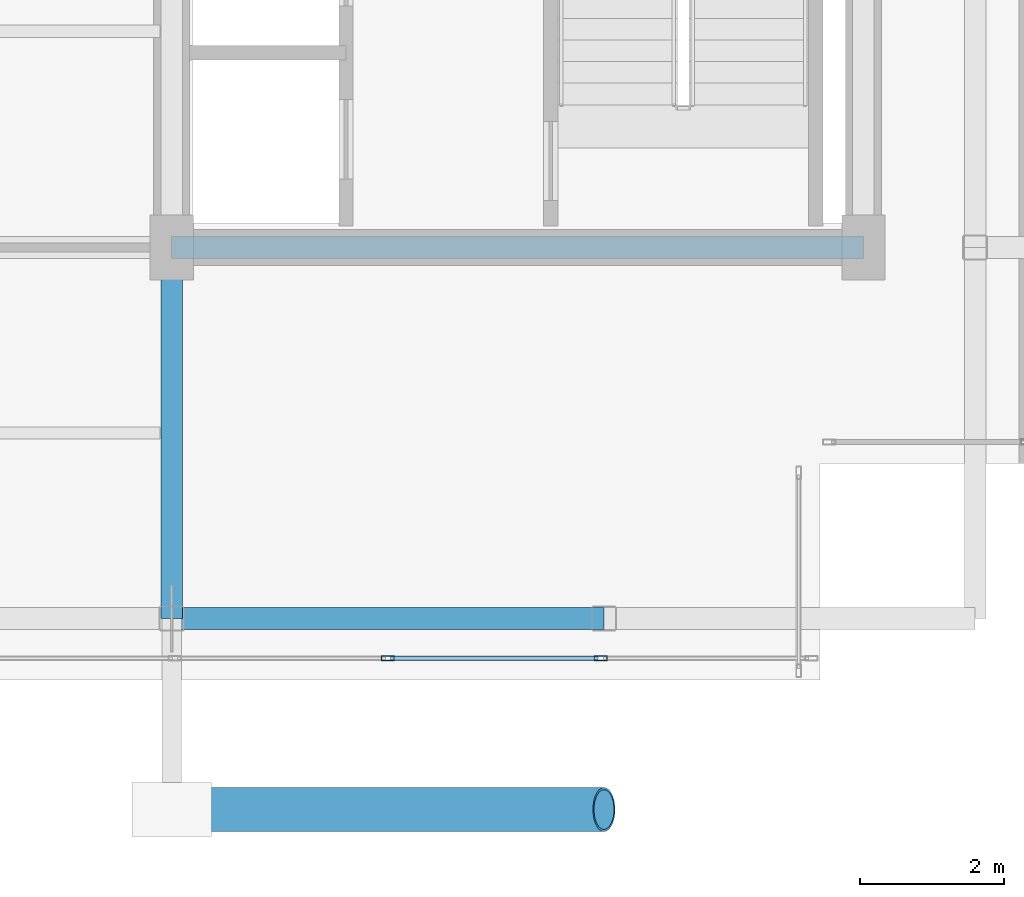
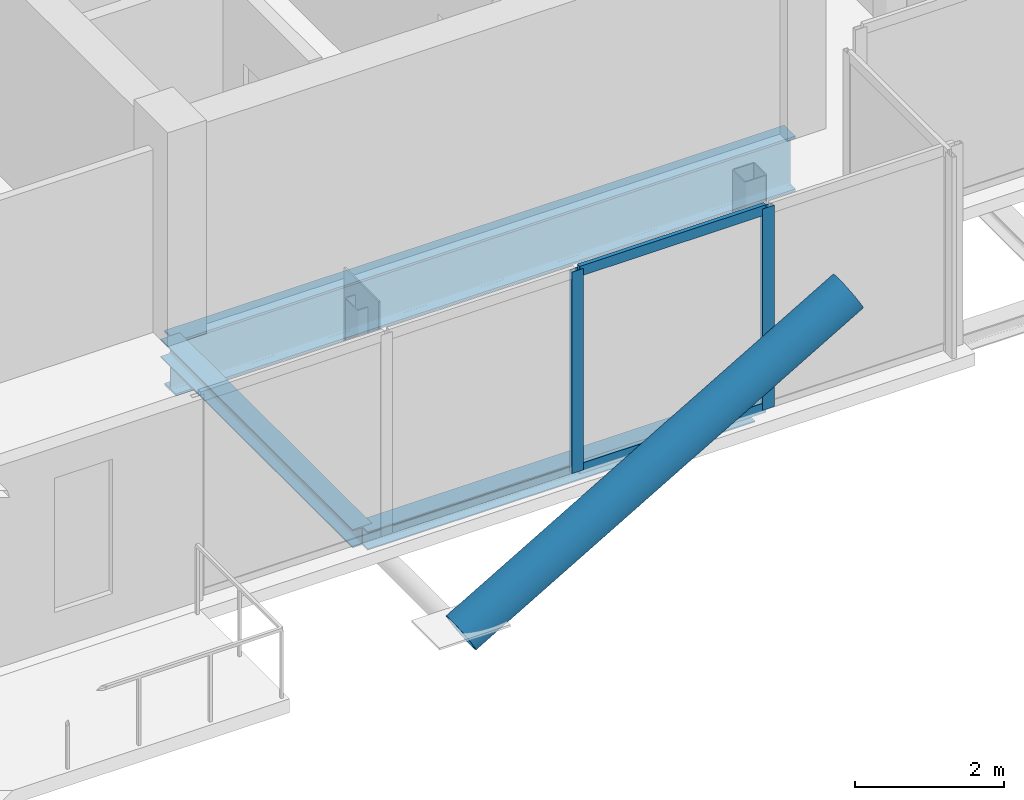
# One storey, part 5 of 19: 5 members, 3 beams, 1 element without a shape of its own.
"""IFC4 building model written with IfcOpenShell, lengths in metres."""

import ifcopenshell
import ifcopenshell.guid

model = None  # the IFC model being written
_history = None  # IfcOwnerHistory: only IFC2X3 demands one
_inside = {}  # id of a spatial element -> (the spatial element, [elements in it])
_under = {}  # id of a project, library or spatial element -> (it, [spatial elements below it])
_declared = {}  # id of a project -> (the project, [libraries it declares])
_typed = {}  # id of a type object -> (the type object, [elements of that type])
_made_of = {}  # id of a material, layer set ... -> (it, [elements and type objects made of it])


def new_model(schema):
    """Start an empty IFC model of exactly this schema.

    Asked for "IFC4X3", IfcOpenShell would pick the latest addendum, in which some entities
    have other attributes; the version numbers below select the first issue.
    IFC2X3 requires an IfcOwnerHistory on every rooted entity: one is made here for all.
    """
    global model, _history
    if schema == "IFC4X3":
        model = ifcopenshell.file(schema_version=(4, 3, 0, 0))
    else:
        model = ifcopenshell.file(schema=schema)
    _inside.clear()
    _under.clear()
    _declared.clear()
    _typed.clear()
    _made_of.clear()
    _history = None
    if model.schema == "IFC2X3":
        org = make("IfcOrganization", Name="unknown")
        user = make(
            "IfcPersonAndOrganization",
            ThePerson=make("IfcPerson", FamilyName="unknown"),
            TheOrganization=org,
        )
        app = make(
            "IfcApplication",
            ApplicationDeveloper=org,
            Version="unknown",
            ApplicationFullName="unknown",
            ApplicationIdentifier="unknown",
        )
        _history = make(
            "IfcOwnerHistory",
            OwningUser=user,
            OwningApplication=app,
            ChangeAction="ADDED",
            CreationDate=0,
        )
    return model


def make(cls, **values):
    """One entity of the class cls with the attributes given. An attribute that is None is left unset."""
    return model.create_entity(
        cls, **{name: value for name, value in values.items() if value is not None}
    )


def rooted(cls, **values):
    """An entity with a GlobalId (a new one), such as an element, a storey or a relation."""
    return make(cls, GlobalId=ifcopenshell.guid.new(), OwnerHistory=_history, **values)


def si_unit(unit_type, name, prefix=None):
    """IfcSIUnit, for example si_unit("LENGTHUNIT", "METRE", prefix="MILLI")."""
    return make("IfcSIUnit", UnitType=unit_type, Prefix=prefix, Name=name)


def assignment(units):
    """IfcUnitAssignment: the units of a project."""
    return None if units is None else make("IfcUnitAssignment", Units=units)


def point(xyz):
    """IfcCartesianPoint."""
    return None if xyz is None else make("IfcCartesianPoint", Coordinates=xyz)


def direction(xyz):
    """IfcDirection."""
    return None if xyz is None else make("IfcDirection", DirectionRatios=xyz)


def frame(location, z_axis=None, x_axis=None):
    """IfcAxis2Placement3D, a coordinate frame: its origin and axes. An axis left out is left unset."""
    return make(
        "IfcAxis2Placement3D",
        Location=point(location),
        Axis=direction(z_axis),
        RefDirection=direction(x_axis),
    )


def frame_2d(location, x_axis=None):
    """IfcAxis2Placement2D, a coordinate frame in the plane: its origin and x axis."""
    return make(
        "IfcAxis2Placement2D", Location=point(location), RefDirection=direction(x_axis)
    )


def origin():
    """The frame at (0, 0, 0) with its axes left unset."""
    return frame((0.0, 0.0, 0.0))


def origin_2d():
    """The frame at (0, 0) in the plane with its x axis left unset."""
    return frame_2d((0.0, 0.0))


def place(relative_to, where):
    """IfcLocalPlacement: puts the frame where relative to a parent placement (None: the world)."""
    return make(
        "IfcLocalPlacement", PlacementRelTo=relative_to, RelativePlacement=where
    )


def context(
    kind, dimensions, precision=None, world=None, true_north=None, identifier=None
):
    """IfcGeometricRepresentationContext, for example the 3D "Model" context."""
    return make(
        "IfcGeometricRepresentationContext",
        ContextIdentifier=identifier,
        ContextType=kind,
        CoordinateSpaceDimension=dimensions,
        Precision=precision,
        WorldCoordinateSystem=world,
        TrueNorth=true_north,
    )


def subcontext(parent, identifier, kind, view, scale=None):
    """IfcGeometricRepresentationSubContext, for example "Body" below "Model"."""
    return make(
        "IfcGeometricRepresentationSubContext",
        ContextIdentifier=identifier,
        ContextType=kind,
        ParentContext=parent,
        TargetScale=scale,
        TargetView=view,
    )


def project(units=None, contexts=None):
    """IfcProject with its units and contexts."""
    return rooted(
        "IfcProject",
        Name="project",
        RepresentationContexts=contexts,
        UnitsInContext=assignment(units),
    )


def spatial(cls, under=None, at=None, **own):
    """A site, building, storey or space (cls), placed at a placement, below another one or the project."""
    s = rooted(cls, ObjectPlacement=at, **own)
    if under is not None:
        _under.setdefault(under.id(), (under, []))[1].append(s)
    return s


def profile(cls, at=None, kind="AREA", **sizes):
    """A parametric profile (cls). Its sizes go by their IFC names, for example OverallWidth=200.0."""
    return make(cls, ProfileType=kind, Position=at, **sizes)


def hollow_rectangle(**sizes):
    """IfcRectangleHollowProfileDef."""
    return profile("IfcRectangleHollowProfileDef", **sizes)


def hollow_circle(**sizes):
    """IfcCircleHollowProfileDef."""
    return profile("IfcCircleHollowProfileDef", **sizes)


def i_section(**sizes):
    """IfcIShapeProfileDef."""
    return profile("IfcIShapeProfileDef", **sizes)


def extrude(swept, where, along, depth):
    """IfcExtrudedAreaSolid: the profile swept, set in the frame where, extruded along a direction by depth."""
    return make(
        "IfcExtrudedAreaSolid",
        SweptArea=swept,
        Position=where,
        ExtrudedDirection=direction(along),
        Depth=depth,
    )


def shape(context_of_items, identifier, shape_type, items):
    """IfcShapeRepresentation: the items that make up one representation, for example the "Body"."""
    return make(
        "IfcShapeRepresentation",
        ContextOfItems=context_of_items,
        RepresentationIdentifier=identifier,
        RepresentationType=shape_type,
        Items=items,
    )


def material(Name=None, Category=None):
    """IfcMaterial."""
    return make("IfcMaterial", Name=Name, Category=Category)


def layer(
    of_material, thickness, ventilated=None, Name=None, Category=None, Priority=None
):
    """IfcMaterialLayer: one layer of a wall or slab, of a material (None: an air gap)."""
    return make(
        "IfcMaterialLayer",
        Material=of_material,
        LayerThickness=thickness,
        IsVentilated=ventilated,
        Name=Name,
        Category=Category,
        Priority=Priority,
    )


def layer_set(layers, Name=None):
    """IfcMaterialLayerSet."""
    return make("IfcMaterialLayerSet", MaterialLayers=layers, LayerSetName=Name)


def material_profile(
    of_material, cross_section, Name=None, Category=None, Priority=None
):
    """IfcMaterialProfile: a cross section and its material."""
    return make(
        "IfcMaterialProfile",
        Name=Name,
        Material=of_material,
        Profile=cross_section,
        Priority=Priority,
        Category=Category,
    )


def profile_set(profiles, Name=None, composite=None):
    """IfcMaterialProfileSet."""
    return make(
        "IfcMaterialProfileSet",
        Name=Name,
        MaterialProfiles=profiles,
        CompositeProfile=composite,
    )


def made_of(thing, what):
    """Note that an element or type object is made of a material, layer set ...; save() writes the relation."""
    if what is not None:
        _made_of.setdefault(what.id(), (what, []))[1].append(thing)
    return thing


def type_object(cls, material=None, **own):
    """A type object (cls), such as IfcWallType, which elements share."""
    return made_of(rooted(cls, **own), material)


def element(
    cls,
    number,
    at=None,
    inside=None,
    cuts=None,
    type_object=None,
    material=None,
    context=None,
    identifier="Body",
    shape_type=None,
    held_by="IfcProductDefinitionShape",
    body=None,
    shapes=None,
    **own,
):
    """One element of the class cls, such as IfcWall. Its Tag is "e" and its number.

    at: its placement. inside: the storey or other place that contains it. cuts: it is an
    opening in that element (IfcRelVoidsElement). A single representation is given by context,
    identifier, shape_type and body (its items); several are given by shapes. held_by: the class
    of the entity that holds the representations. save() writes the other relations.
    """
    e = rooted(cls, Tag="e%d" % number, ObjectPlacement=at, **own)
    if body is not None:
        shapes = [shape(context, identifier, shape_type, body)]
    if shapes is not None:
        e.Representation = make(held_by, Representations=shapes)
    if inside is not None:
        _inside.setdefault(inside.id(), (inside, []))[1].append(e)
    if cuts is not None:
        rooted(
            "IfcRelVoidsElement", RelatingBuildingElement=cuts, RelatedOpeningElement=e
        )
    if type_object is not None:
        _typed.setdefault(type_object.id(), (type_object, []))[1].append(e)
    return made_of(e, material)


def aggregate(whole, parts):
    """IfcRelAggregates: a whole, such as a stair, and the parts it consists of."""
    return rooted("IfcRelAggregates", RelatingObject=whole, RelatedObjects=parts)


def save(model, path):
    """Write the relations noted so far, then the file.

    IfcRelAggregates (storeys below a building ...), IfcRelContainedInSpatialStructure (elements
    in a storey), IfcRelDefinesByType, IfcRelAssociatesMaterial and IfcRelDeclares: one each for
    every whole, place, type object, material and project.
    """
    for whole, parts in _under.values():
        aggregate(whole, parts)
    for where, things in _inside.values():
        rooted(
            "IfcRelContainedInSpatialStructure",
            RelatedElements=things,
            RelatingStructure=where,
        )
    for kind, things in _typed.values():
        rooted("IfcRelDefinesByType", RelatedObjects=things, RelatingType=kind)
    for what, things in _made_of.values():
        rooted("IfcRelAssociatesMaterial", RelatedObjects=things, RelatingMaterial=what)
    for by, libraries in _declared.values():
        rooted("IfcRelDeclares", RelatingContext=by, RelatedDefinitions=libraries)
    model.write(path)


model = new_model("IFC4")

# Units and contexts
model_context = context("Model", 3, precision=1e-05, world=origin(), true_north=direction((0.0, 1.0)))
body_context = subcontext(model_context, "Body", "Model", "MODEL_VIEW")
ifc_project = project(units=[si_unit("LENGTHUNIT", "METRE"), si_unit("AREAUNIT", "SQUARE_METRE"), si_unit("VOLUMEUNIT", "CUBIC_METRE"), si_unit("PLANEANGLEUNIT", "RADIAN"), si_unit("MASSUNIT", "GRAM", prefix="KILO"), si_unit("THERMODYNAMICTEMPERATUREUNIT", "KELVIN"), si_unit("POWERUNIT", "WATT")], contexts=[model_context])

# Site, building, storey
site_placement = place(None, origin())
site = spatial("IfcSite", under=ifc_project, at=site_placement, CompositionType="ELEMENT")
building_placement = place(site_placement, origin())
building = spatial("IfcBuilding", under=site, at=building_placement, Name="Svarakhadi Broadcast Tower", CompositionType="ELEMENT")
storey_placement = place(building_placement, frame((0.0, 0.0, 239.699951171875)))
storey = spatial("IfcBuildingStorey", under=building, at=storey_placement, Name="L59", CompositionType="ELEMENT", Elevation=239.699951171875)

# Curtain wall, members
ifc_material_1 = material(Name="Anodised Bronze Aluminium AA 6063-T6", Category="aluminium")
ifc_layer = layer(ifc_material_1, 0.179931640625)
ifc_layer_set = layer_set([ifc_layer], Name="Anodised Bronze Aluminium AA 6063-T6")
curtain_wall_type = type_object("IfcCurtainWallType", Name="CW_Sys_05", PredefinedType="NOTDEFINED", material=ifc_layer_set)
curtain_wall_placement = place(storey_placement, origin())
curtain_wall = element("IfcCurtainWall", 1, at=curtain_wall_placement, inside=storey, type_object=curtain_wall_type, Name="L59 South Curtain Wall 14", PredefinedType="NOTDEFINED")
ifc_material_profile_1 = material_profile(ifc_material_1, hollow_rectangle(XDim=0.070068359375, YDim=0.179931640625, WallThickness=0.005615234375, at=origin_2d()), Name="ALU MULLION 180x70x6")
ifc_profile_set_1 = profile_set([ifc_material_profile_1], Name="Anodised Bronze Aluminium AA 6063-T6")
member_type_1 = type_object("IfcMemberType", Name="CW_Sys_05_Mul", PredefinedType="MULLION", material=ifc_profile_set_1)
member_1_placement = place(storey_placement, frame((29.955078125, 0.300048828125, 0.0), z_axis=(0.0, 0.0, 1.0), x_axis=(0.0, -1.0, 0.0)))
member_1 = element("IfcMember", 2, at=member_1_placement, type_object=member_type_1, Name="CW-05 mullion 2", PredefinedType="MULLION", context=body_context, shape_type="SweptSolid", body=[
    extrude(hollow_rectangle(XDim=0.070068359375, YDim=0.179931640625, WallThickness=0.005615234375, at=origin_2d()), origin(), (0.0, 0.0, 1.0), 3.300048828125),
])
member_2_placement = place(storey_placement, frame((27.0, 0.300048828125, 0.0), z_axis=(0.0, 0.0, 1.0), x_axis=(0.0, -1.0, 0.0)))
member_2 = element("IfcMember", 3, at=member_2_placement, type_object=member_type_1, Name="CW-05 mullion 3", PredefinedType="MULLION", context=body_context, shape_type="SweptSolid", body=[
    extrude(hollow_rectangle(XDim=0.070068359375, YDim=0.179931640625, WallThickness=0.005615234375, at=origin_2d()), origin(), (0.0, 0.0, 1.0), 3.300048828125),
])
ifc_material_profile_2 = material_profile(ifc_material_1, hollow_rectangle(XDim=0.06494140625, YDim=0.1650390625, WallThickness=0.0048828125, at=origin_2d()), Name="ALU TRANSOM 165x65x5")
ifc_profile_set_2 = profile_set([ifc_material_profile_2], Name="Anodised Bronze Aluminium AA 6063-T6")
member_type_2 = type_object("IfcMemberType", Name="CW_Sys_05_Trn", PredefinedType="USERDEFINED", material=ifc_profile_set_2)
member_3_placement = place(storey_placement, frame((29.919921875, 0.300048828125, 0.032470703125), z_axis=(-1.0, 0.0, 0.0), x_axis=(0.0, -1.0, 0.0)))
member_3 = element("IfcMember", 4, at=member_3_placement, type_object=member_type_2, Name="CW-05 transom 2.1", ObjectType="TRANSOM", PredefinedType="USERDEFINED", context=body_context, shape_type="SweptSolid", body=[
    extrude(hollow_rectangle(XDim=0.06494140625, YDim=0.1650390625, WallThickness=0.0048828125, at=origin_2d()), origin(), (0.0, 0.0, 1.0), 2.885009765625),
])
member_4_placement = place(storey_placement, frame((29.919921875, 0.300048828125, 3.267578125), z_axis=(-1.0, 0.0, 0.0), x_axis=(0.0, -1.0, 0.0)))
member_4 = element("IfcMember", 5, at=member_4_placement, type_object=member_type_2, Name="CW-05 transom 2.2", ObjectType="TRANSOM", PredefinedType="USERDEFINED", context=body_context, shape_type="SweptSolid", body=[
    extrude(hollow_rectangle(XDim=0.06494140625, YDim=0.1650390625, WallThickness=0.0048828125, at=origin_2d()), origin(), (0.0, 0.0, 1.0), 2.885009765625),
])
aggregate(curtain_wall, [member_1, member_2, member_3, member_4])

# Member
ifc_material_2 = material(Name="Steel S460ML (IS 2062 E450BR)", Category="steel")
ifc_material_profile_3 = material_profile(ifc_material_2, hollow_circle(Radius=0.304931640625, WallThickness=0.030029296875, at=origin_2d()), Name="CHS 610x30")
ifc_profile_set_3 = profile_set([ifc_material_profile_3], Name="Steel S460ML (IS 2062 E450BR)")
member_type_3 = type_object("IfcMemberType", Name="Exo_Brace_CHS610", PredefinedType="BRACE", material=ifc_profile_set_3)
member_5_placement = place(storey_placement, frame((24.0, -1.800048828125, -0.33642578125), z_axis=(0.863778900898, 0.0, 0.503871025524), x_axis=(0.0, 1.0, 0.0)))
element("IfcMember", 6, at=member_5_placement, inside=storey, type_object=member_type_3, Name="L59 Exposed Bronze Exoskeleton Diagonal S01", PredefinedType="BRACE", context=body_context, shape_type="SweptSolid", body=[
    extrude(hollow_circle(Radius=0.304931640625, WallThickness=0.030029296875, at=origin_2d()), origin(), (0.0, 0.0, 1.0), 6.9462890625),
])

# Beams
ifc_material_3 = material(Name="Steel S355J2 (IS 2062 E350C)", Category="steel")
ifc_material_profile_4 = material_profile(ifc_material_3, i_section(OverallWidth=0.300048828125, OverallDepth=0.300048828125, WebThickness=0.010986328125, FlangeThickness=0.01904296875, FilletRadius=0.027099609375, at=origin_2d()), Name="WPB 300x300x117")
ifc_profile_set_4 = profile_set([ifc_material_profile_4], Name="Steel S355J2 (IS 2062 E350C)")
beam_type_1 = type_object("IfcBeamType", Name="Girder_WPB300", PredefinedType="USERDEFINED", material=ifc_profile_set_4)
beam_1_placement = place(storey_placement, frame((24.0, 0.85009765625, -0.349853515625), z_axis=(1.0, 0.0, 0.0), x_axis=(0.0, 1.0, 0.0)))
element("IfcBeam", 7, at=beam_1_placement, inside=storey, type_object=beam_type_1, Name="L59 Primary E-W Girder G007", ObjectType="GIRDER", PredefinedType="USERDEFINED", context=body_context, shape_type="SweptSolid", body=[
    extrude(i_section(OverallWidth=0.300048828125, OverallDepth=0.300048828125, WebThickness=0.010986328125, FlangeThickness=0.01904296875, FilletRadius=0.027099609375, at=origin_2d()), origin(), (0.0, 0.0, 1.0), 6.0),
])
beam_2_placement = place(storey_placement, frame((24.0, 0.85009765625, -0.349853515625), z_axis=(0.0, 1.0, 0.0), x_axis=(-1.0, 0.0, 0.0)))
element("IfcBeam", 8, at=beam_2_placement, inside=storey, type_object=beam_type_1, Name="L59 Primary N-S Girder G043", ObjectType="GIRDER", PredefinedType="USERDEFINED", context=body_context, shape_type="SweptSolid", body=[
    extrude(i_section(OverallWidth=0.300048828125, OverallDepth=0.300048828125, WebThickness=0.010986328125, FlangeThickness=0.01904296875, FilletRadius=0.027099609375, at=origin_2d()), origin(), (0.0, 0.0, 1.0), 5.14990234375),
])
ifc_material_profile_5 = material_profile(ifc_material_2, i_section(OverallWidth=0.300048828125, OverallDepth=0.89990234375, WebThickness=0.0185546875, FlangeThickness=0.034912109375, FilletRadius=0.030029296875, at=origin_2d()), Name="WPB 900x300x291")
ifc_profile_set_5 = profile_set([ifc_material_profile_5], Name="Steel S460ML (IS 2062 E450BR)")
beam_type_2 = type_object("IfcBeamType", Name="Girder_WPB900", PredefinedType="USERDEFINED", material=ifc_profile_set_5)
beam_3_placement = place(storey_placement, frame((24.0, 6.0, -0.64990234375), z_axis=(1.0, 0.0, 0.0), x_axis=(0.0, 1.0, 0.0)))
element("IfcBeam", 9, at=beam_3_placement, inside=storey, type_object=beam_type_2, Name="L59 Primary E-W Girder G013", ObjectType="GIRDER", PredefinedType="USERDEFINED", context=body_context, shape_type="SweptSolid", body=[
    extrude(i_section(OverallWidth=0.300048828125, OverallDepth=0.89990234375, WebThickness=0.0185546875, FlangeThickness=0.034912109375, FilletRadius=0.030029296875, at=origin_2d()), origin(), (0.0, 0.0, 1.0), 9.60009765625),
])

save(model, "model.ifc")
